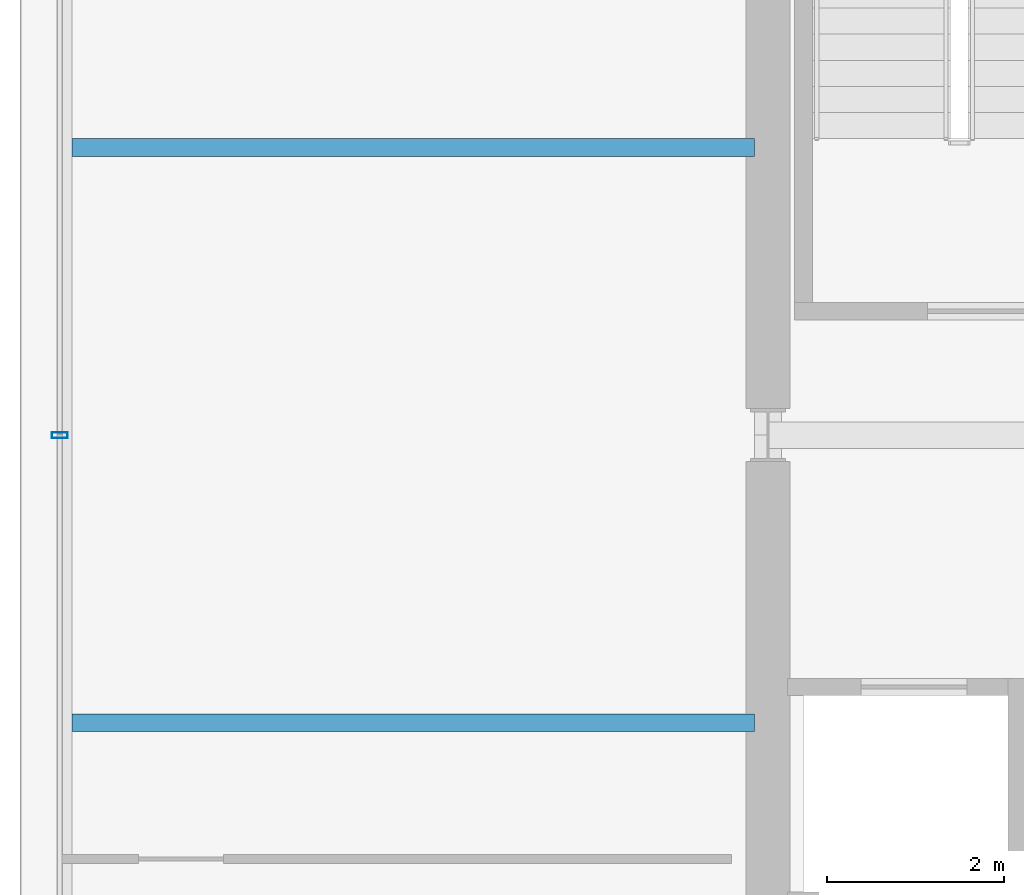
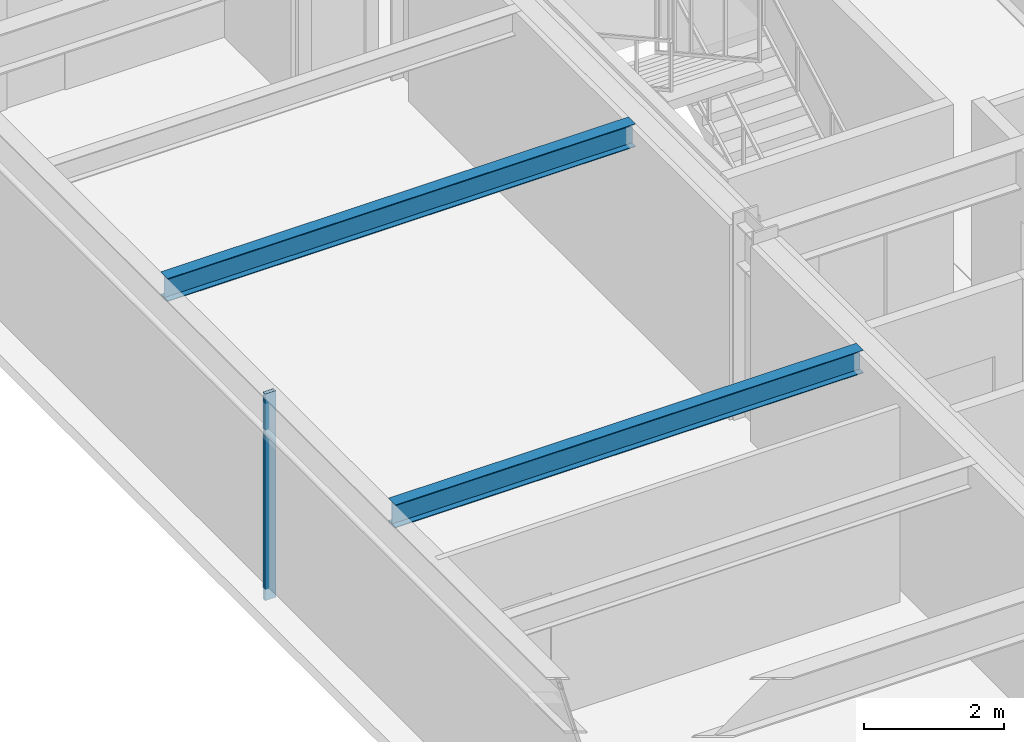
# One storey, part 8 of 29: 2 beams, 1 member, 1 element without a shape of its own.
"""IFC4 building model written with IfcOpenShell, lengths in metres."""

import ifcopenshell
import ifcopenshell.guid

model = None  # the IFC model being written
_history = None  # IfcOwnerHistory: only IFC2X3 demands one
_inside = {}  # id of a spatial element -> (the spatial element, [elements in it])
_under = {}  # id of a project, library or spatial element -> (it, [spatial elements below it])
_declared = {}  # id of a project -> (the project, [libraries it declares])
_typed = {}  # id of a type object -> (the type object, [elements of that type])
_made_of = {}  # id of a material, layer set ... -> (it, [elements and type objects made of it])


def new_model(schema):
    """Start an empty IFC model of exactly this schema.

    Asked for "IFC4X3", IfcOpenShell would pick the latest addendum, in which some entities
    have other attributes; the version numbers below select the first issue.
    IFC2X3 requires an IfcOwnerHistory on every rooted entity: one is made here for all.
    """
    global model, _history
    if schema == "IFC4X3":
        model = ifcopenshell.file(schema_version=(4, 3, 0, 0))
    else:
        model = ifcopenshell.file(schema=schema)
    _inside.clear()
    _under.clear()
    _declared.clear()
    _typed.clear()
    _made_of.clear()
    _history = None
    if model.schema == "IFC2X3":
        org = make("IfcOrganization", Name="unknown")
        user = make(
            "IfcPersonAndOrganization",
            ThePerson=make("IfcPerson", FamilyName="unknown"),
            TheOrganization=org,
        )
        app = make(
            "IfcApplication",
            ApplicationDeveloper=org,
            Version="unknown",
            ApplicationFullName="unknown",
            ApplicationIdentifier="unknown",
        )
        _history = make(
            "IfcOwnerHistory",
            OwningUser=user,
            OwningApplication=app,
            ChangeAction="ADDED",
            CreationDate=0,
        )
    return model


def make(cls, **values):
    """One entity of the class cls with the attributes given. An attribute that is None is left unset."""
    return model.create_entity(
        cls, **{name: value for name, value in values.items() if value is not None}
    )


def rooted(cls, **values):
    """An entity with a GlobalId (a new one), such as an element, a storey or a relation."""
    return make(cls, GlobalId=ifcopenshell.guid.new(), OwnerHistory=_history, **values)


def si_unit(unit_type, name, prefix=None):
    """IfcSIUnit, for example si_unit("LENGTHUNIT", "METRE", prefix="MILLI")."""
    return make("IfcSIUnit", UnitType=unit_type, Prefix=prefix, Name=name)


def assignment(units):
    """IfcUnitAssignment: the units of a project."""
    return None if units is None else make("IfcUnitAssignment", Units=units)


def point(xyz):
    """IfcCartesianPoint."""
    return None if xyz is None else make("IfcCartesianPoint", Coordinates=xyz)


def direction(xyz):
    """IfcDirection."""
    return None if xyz is None else make("IfcDirection", DirectionRatios=xyz)


def frame(location, z_axis=None, x_axis=None):
    """IfcAxis2Placement3D, a coordinate frame: its origin and axes. An axis left out is left unset."""
    return make(
        "IfcAxis2Placement3D",
        Location=point(location),
        Axis=direction(z_axis),
        RefDirection=direction(x_axis),
    )


def frame_2d(location, x_axis=None):
    """IfcAxis2Placement2D, a coordinate frame in the plane: its origin and x axis."""
    return make(
        "IfcAxis2Placement2D", Location=point(location), RefDirection=direction(x_axis)
    )


def origin():
    """The frame at (0, 0, 0) with its axes left unset."""
    return frame((0.0, 0.0, 0.0))


def origin_2d():
    """The frame at (0, 0) in the plane with its x axis left unset."""
    return frame_2d((0.0, 0.0))


def place(relative_to, where):
    """IfcLocalPlacement: puts the frame where relative to a parent placement (None: the world)."""
    return make(
        "IfcLocalPlacement", PlacementRelTo=relative_to, RelativePlacement=where
    )


def context(
    kind, dimensions, precision=None, world=None, true_north=None, identifier=None
):
    """IfcGeometricRepresentationContext, for example the 3D "Model" context."""
    return make(
        "IfcGeometricRepresentationContext",
        ContextIdentifier=identifier,
        ContextType=kind,
        CoordinateSpaceDimension=dimensions,
        Precision=precision,
        WorldCoordinateSystem=world,
        TrueNorth=true_north,
    )


def subcontext(parent, identifier, kind, view, scale=None):
    """IfcGeometricRepresentationSubContext, for example "Body" below "Model"."""
    return make(
        "IfcGeometricRepresentationSubContext",
        ContextIdentifier=identifier,
        ContextType=kind,
        ParentContext=parent,
        TargetScale=scale,
        TargetView=view,
    )


def project(units=None, contexts=None):
    """IfcProject with its units and contexts."""
    return rooted(
        "IfcProject",
        Name="project",
        RepresentationContexts=contexts,
        UnitsInContext=assignment(units),
    )


def spatial(cls, under=None, at=None, **own):
    """A site, building, storey or space (cls), placed at a placement, below another one or the project."""
    s = rooted(cls, ObjectPlacement=at, **own)
    if under is not None:
        _under.setdefault(under.id(), (under, []))[1].append(s)
    return s


def profile(cls, at=None, kind="AREA", **sizes):
    """A parametric profile (cls). Its sizes go by their IFC names, for example OverallWidth=200.0."""
    return make(cls, ProfileType=kind, Position=at, **sizes)


def hollow_rectangle(**sizes):
    """IfcRectangleHollowProfileDef."""
    return profile("IfcRectangleHollowProfileDef", **sizes)


def i_section(**sizes):
    """IfcIShapeProfileDef."""
    return profile("IfcIShapeProfileDef", **sizes)


def extrude(swept, where, along, depth):
    """IfcExtrudedAreaSolid: the profile swept, set in the frame where, extruded along a direction by depth."""
    return make(
        "IfcExtrudedAreaSolid",
        SweptArea=swept,
        Position=where,
        ExtrudedDirection=direction(along),
        Depth=depth,
    )


def shape(context_of_items, identifier, shape_type, items):
    """IfcShapeRepresentation: the items that make up one representation, for example the "Body"."""
    return make(
        "IfcShapeRepresentation",
        ContextOfItems=context_of_items,
        RepresentationIdentifier=identifier,
        RepresentationType=shape_type,
        Items=items,
    )


def material(Name=None, Category=None):
    """IfcMaterial."""
    return make("IfcMaterial", Name=Name, Category=Category)


def layer(
    of_material, thickness, ventilated=None, Name=None, Category=None, Priority=None
):
    """IfcMaterialLayer: one layer of a wall or slab, of a material (None: an air gap)."""
    return make(
        "IfcMaterialLayer",
        Material=of_material,
        LayerThickness=thickness,
        IsVentilated=ventilated,
        Name=Name,
        Category=Category,
        Priority=Priority,
    )


def layer_set(layers, Name=None):
    """IfcMaterialLayerSet."""
    return make("IfcMaterialLayerSet", MaterialLayers=layers, LayerSetName=Name)


def material_profile(
    of_material, cross_section, Name=None, Category=None, Priority=None
):
    """IfcMaterialProfile: a cross section and its material."""
    return make(
        "IfcMaterialProfile",
        Name=Name,
        Material=of_material,
        Profile=cross_section,
        Priority=Priority,
        Category=Category,
    )


def profile_set(profiles, Name=None, composite=None):
    """IfcMaterialProfileSet."""
    return make(
        "IfcMaterialProfileSet",
        Name=Name,
        MaterialProfiles=profiles,
        CompositeProfile=composite,
    )


def made_of(thing, what):
    """Note that an element or type object is made of a material, layer set ...; save() writes the relation."""
    if what is not None:
        _made_of.setdefault(what.id(), (what, []))[1].append(thing)
    return thing


def type_object(cls, material=None, **own):
    """A type object (cls), such as IfcWallType, which elements share."""
    return made_of(rooted(cls, **own), material)


def element(
    cls,
    number,
    at=None,
    inside=None,
    cuts=None,
    type_object=None,
    material=None,
    context=None,
    identifier="Body",
    shape_type=None,
    held_by="IfcProductDefinitionShape",
    body=None,
    shapes=None,
    **own,
):
    """One element of the class cls, such as IfcWall. Its Tag is "e" and its number.

    at: its placement. inside: the storey or other place that contains it. cuts: it is an
    opening in that element (IfcRelVoidsElement). A single representation is given by context,
    identifier, shape_type and body (its items); several are given by shapes. held_by: the class
    of the entity that holds the representations. save() writes the other relations.
    """
    e = rooted(cls, Tag="e%d" % number, ObjectPlacement=at, **own)
    if body is not None:
        shapes = [shape(context, identifier, shape_type, body)]
    if shapes is not None:
        e.Representation = make(held_by, Representations=shapes)
    if inside is not None:
        _inside.setdefault(inside.id(), (inside, []))[1].append(e)
    if cuts is not None:
        rooted(
            "IfcRelVoidsElement", RelatingBuildingElement=cuts, RelatedOpeningElement=e
        )
    if type_object is not None:
        _typed.setdefault(type_object.id(), (type_object, []))[1].append(e)
    return made_of(e, material)


def aggregate(whole, parts):
    """IfcRelAggregates: a whole, such as a stair, and the parts it consists of."""
    return rooted("IfcRelAggregates", RelatingObject=whole, RelatedObjects=parts)


def save(model, path):
    """Write the relations noted so far, then the file.

    IfcRelAggregates (storeys below a building ...), IfcRelContainedInSpatialStructure (elements
    in a storey), IfcRelDefinesByType, IfcRelAssociatesMaterial and IfcRelDeclares: one each for
    every whole, place, type object, material and project.
    """
    for whole, parts in _under.values():
        aggregate(whole, parts)
    for where, things in _inside.values():
        rooted(
            "IfcRelContainedInSpatialStructure",
            RelatedElements=things,
            RelatingStructure=where,
        )
    for kind, things in _typed.values():
        rooted("IfcRelDefinesByType", RelatedObjects=things, RelatingType=kind)
    for what, things in _made_of.values():
        rooted("IfcRelAssociatesMaterial", RelatedObjects=things, RelatingMaterial=what)
    for by, libraries in _declared.values():
        rooted("IfcRelDeclares", RelatingContext=by, RelatedDefinitions=libraries)
    model.write(path)


model = new_model("IFC4")

# Units and contexts
model_context = context("Model", 3, precision=1e-05, world=origin(), true_north=direction((0.0, 1.0)))
body_context = subcontext(model_context, "Body", "Model", "MODEL_VIEW")
ifc_project = project(units=[si_unit("LENGTHUNIT", "METRE"), si_unit("AREAUNIT", "SQUARE_METRE"), si_unit("VOLUMEUNIT", "CUBIC_METRE"), si_unit("PLANEANGLEUNIT", "RADIAN"), si_unit("MASSUNIT", "GRAM", prefix="KILO")], contexts=[model_context])

# Site, building, storey
site_placement = place(None, origin())
site = spatial("IfcSite", under=ifc_project, at=site_placement, CompositionType="ELEMENT")
building_placement = place(site_placement, origin())
building = spatial("IfcBuilding", under=site, at=building_placement, Name="Brelmoor Portico Tower", CompositionType="ELEMENT")
storey_placement = place(building_placement, frame((0.0, 0.0, 127.800048828125)))
storey = spatial("IfcBuildingStorey", under=building, at=storey_placement, Name="L33", CompositionType="ELEMENT", Elevation=127.800048828125)

# Beams
ifc_material_1 = material(Name="Steel Q355B", Category="steel")
ifc_material_profile_1 = material_profile(ifc_material_1, i_section(OverallWidth=0.199951171875, OverallDepth=0.39990234375, WebThickness=0.008056640625, FlangeThickness=0.012939453125, at=origin_2d()), Name="HN 400x200x8x13")
ifc_profile_set_1 = profile_set([ifc_material_profile_1], Name="Steel Q355B")
beam_type = type_object("IfcBeamType", Name="BM-JS-400", PredefinedType="JOIST", material=ifc_profile_set_1)
for number, where, z_axis, x_axis, name in (
    (1, (-22.409912109375, -3.25, 3.199951171875), (1.0, 0.0, 0.0), (0.0, 1.0, 0.0), "L33 Secondary Wing Joist JS-W06"),
    (2, (-22.409912109375, 3.25, 3.199951171875), (1.0, 0.0, 0.0), (0.0, 1.0, 0.0), "L33 Secondary Wing Joist JS-W07"),
):
    element("IfcBeam", number, at=place(storey_placement, frame(where, z_axis=z_axis, x_axis=x_axis)), inside=storey, type_object=beam_type, Name=name, PredefinedType="JOIST", context=body_context, shape_type="SweptSolid", body=[
        extrude(i_section(OverallWidth=0.199951171875, OverallDepth=0.39990234375, WebThickness=0.008056640625, FlangeThickness=0.012939453125, at=origin_2d()), origin(), (0.0, 0.0, 1.0), 7.7099609375),
    ])

# Curtain wall, member
ifc_material_2 = material(Name="Anodised Aluminium Alloy 6063-T6", Category="aluminium")
ifc_layer = layer(ifc_material_2, 0.179931640625)
ifc_layer_set = layer_set([ifc_layer], Name="Anodised Aluminium Alloy 6063-T6")
curtain_wall_type = type_object("IfcCurtainWallType", Name="CW-TOWER-Z2-XB", PredefinedType="NOTDEFINED", material=ifc_layer_set)
curtain_wall_placement = place(storey_placement, origin())
curtain_wall = element("IfcCurtainWall", 3, at=curtain_wall_placement, inside=storey, type_object=curtain_wall_type, Name="L33 Curtain Wall CW-L33-03-2", PredefinedType="NOTDEFINED")
ifc_material_profile_2 = material_profile(ifc_material_2, hollow_rectangle(XDim=0.06494140625, YDim=0.179931640625, WallThickness=0.00390625, at=origin_2d()), Name="ALU MULLION 65x180")
ifc_profile_set_2 = profile_set([ifc_material_profile_2], Name="Anodised Aluminium Alloy 6063-T6")
member_type = type_object("IfcMemberType", Name="MB-CW-MULL-180", PredefinedType="MULLION", material=ifc_profile_set_2)
member_placement = place(storey_placement, frame((-22.550048828125, 0.0, -0.199951171875), z_axis=(0.0, 0.0, 1.0), x_axis=(0.0, 1.0, 0.0)))
member = element("IfcMember", 4, at=member_placement, type_object=member_type, Name="CW-L33-03-2 Mullion 01", PredefinedType="MULLION", context=body_context, shape_type="SweptSolid", body=[
    extrude(hollow_rectangle(XDim=0.06494140625, YDim=0.179931640625, WallThickness=0.00390625, at=origin_2d()), origin(), (0.0, 0.0, 1.0), 3.599853515625),
])
aggregate(curtain_wall, [member])

save(model, "model.ifc")
